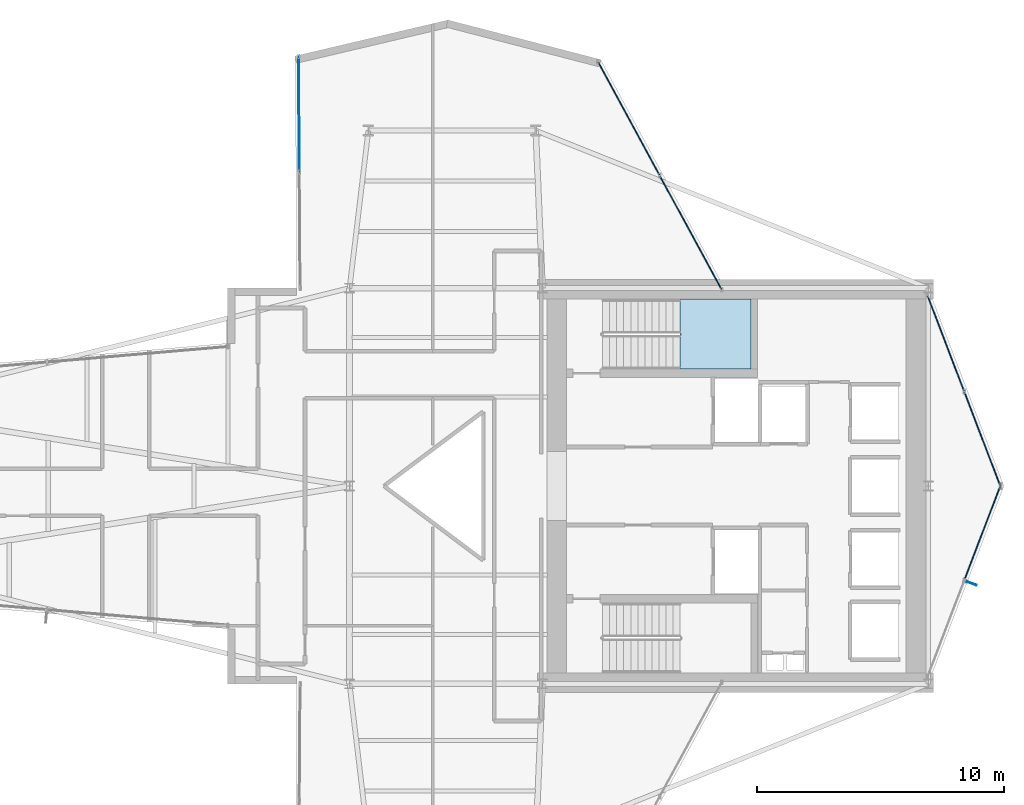
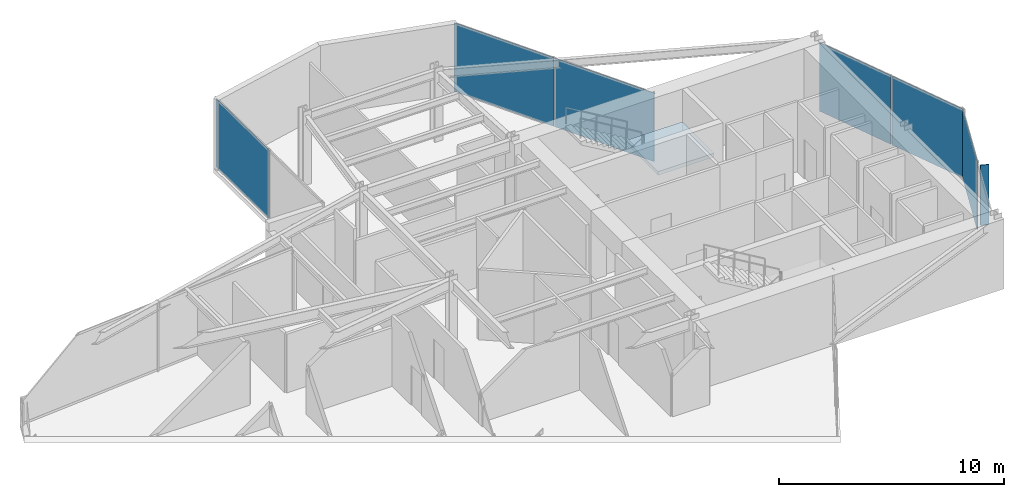
# One storey, part 22 of 26: 7 plates, 1 slab, 5 elements without a shape of their own.
"""IFC4 building model written with IfcOpenShell, lengths in metres."""

from ifc_helpers import new_model, si_unit, direction, frame, origin, origin_2d, place, context, subcontext, project, spatial, polyline, rectangle, outline, extrude, material, layer, layer_set, type_object, element, aggregate, save


model = new_model("IFC4")

# Units and contexts
model_context = context("Model", 3, precision=1e-05, world=origin(), true_north=direction((0.0, 1.0)))
body_context = subcontext(model_context, "Body", "Model", "MODEL_VIEW")
ifc_project = project(units=[si_unit("LENGTHUNIT", "METRE"), si_unit("AREAUNIT", "SQUARE_METRE"), si_unit("VOLUMEUNIT", "CUBIC_METRE"), si_unit("PLANEANGLEUNIT", "RADIAN"), si_unit("MASSUNIT", "GRAM", prefix="KILO")], contexts=[model_context])

# Site, building, storey
site_placement = place(None, origin())
site = spatial("IfcSite", under=ifc_project, at=site_placement, CompositionType="ELEMENT")
building_placement = place(site_placement, origin())
building = spatial("IfcBuilding", under=site, at=building_placement, Name="Veymaron Broadcast Tower", CompositionType="ELEMENT")
storey_placement = place(building_placement, frame((0.0, 0.0, 153.300048828125)))
storey = spatial("IfcBuildingStorey", under=building, at=storey_placement, Name="L35", CompositionType="ELEMENT", Elevation=153.300048828125)

# Curtain wall, plate
ifc_material_1 = material(Name="Anodised aluminium AA 6063-T6 and laminated low-E dark glass", Category="aluminium")
ifc_layer_1 = layer(ifc_material_1, 0.179931640625)
ifc_layer_set_1 = layer_set([ifc_layer_1], Name="Anodised aluminium AA 6063-T6 and laminated low-E dark glass")
curtain_wall_type = type_object("IfcCurtainWallType", Name="CW-SYS-03", PredefinedType="NOTDEFINED", material=ifc_layer_set_1)
curtain_wall_1_placement = place(storey_placement, origin())
curtain_wall_1 = element("IfcCurtainWall", 1, at=curtain_wall_1_placement, inside=storey, type_object=curtain_wall_type, Name="L35 dark-glass curtain wall CW-L35-E2-1", PredefinedType="NOTDEFINED")
ifc_material_2 = material(Name="Insulated dark-anodised aluminium spandrel panel 40 mm", Category="aluminium")
ifc_layer_2 = layer(ifc_material_2, 0.0400390625)
ifc_layer_set_2 = layer_set([ifc_layer_2], Name="Insulated dark-anodised aluminium spandrel panel 40 mm")
plate_type_1 = type_object("IfcPlateType", Name="CW-PNL-03", PredefinedType="CURTAIN_PANEL", material=ifc_layer_set_2)
plate_1_placement = place(storey_placement, frame((56.78662109375, 22.113037109375, 0.0400390625), z_axis=(0.0, 0.0, 1.0), x_axis=(0.35701516766, 0.934098586906, 0.0)))
plate_1 = element("IfcPlate", 2, at=plate_1_placement, type_object=plate_type_1, Name="CW-L35-E2-1 unitised curtain panel 1", PredefinedType="CURTAIN_PANEL", context=body_context, shape_type="SweptSolid", body=[
    extrude(rectangle(XDim=4.08740234375, YDim=0.0400390625, at=origin_2d()), origin(), (0.0, 0.0, 1.0), 3.72998046875),
])
aggregate(curtain_wall_1, [plate_1])

# Curtain wall, plates
curtain_wall_2_placement = place(storey_placement, origin())
curtain_wall_2 = element("IfcCurtainWall", 3, at=curtain_wall_2_placement, inside=storey, type_object=curtain_wall_type, Name="L35 dark-glass curtain wall CW-L35-E3-1", PredefinedType="NOTDEFINED")
plate_2_placement = place(storey_placement, frame((56.78662109375, 25.886962890625, 0.0400390625), z_axis=(0.0, 0.0, 1.0), x_axis=(-0.35701516766, 0.934098586906, 0.0)))
plate_2 = element("IfcPlate", 4, at=plate_2_placement, type_object=plate_type_1, Name="CW-L35-E3-1 unitised curtain panel 0", PredefinedType="CURTAIN_PANEL", context=body_context, shape_type="SweptSolid", body=[
    extrude(rectangle(XDim=4.08740234375, YDim=0.0400390625, at=origin_2d()), origin(), (0.0, 0.0, 1.0), 3.72998046875),
])
plate_3_placement = place(storey_placement, frame((55.305908203125, 29.760986328125, 0.0400390625), z_axis=(0.0, 0.0, 1.0), x_axis=(-0.35701516766, 0.934098586906, 0.0)))
plate_3 = element("IfcPlate", 5, at=plate_3_placement, type_object=plate_type_1, Name="CW-L35-E3-1 unitised curtain panel 1", PredefinedType="CURTAIN_PANEL", context=body_context, shape_type="SweptSolid", body=[
    extrude(rectangle(XDim=4.08740234375, YDim=0.0400390625, at=origin_2d()), origin(), (0.0, 0.0, 1.0), 3.72998046875),
])
aggregate(curtain_wall_2, [plate_2, plate_3])

curtain_wall_3_placement = place(storey_placement, origin())
curtain_wall_3 = element("IfcCurtainWall", 6, at=curtain_wall_3_placement, inside=storey, type_object=curtain_wall_type, Name="L35 dark-glass curtain wall CW-L35-E5-1", PredefinedType="NOTDEFINED")
plate_4_placement = place(storey_placement, frame((44.991455078125, 34.239990234375, 0.0400390625), z_axis=(0.0, 0.0, 1.0), x_axis=(-0.476821283546, 0.879000263685, 0.0)))
plate_4 = element("IfcPlate", 7, at=plate_4_placement, type_object=plate_type_1, Name="CW-L35-E5-1 unitised curtain panel 0", PredefinedType="CURTAIN_PANEL", context=body_context, shape_type="SweptSolid", body=[
    extrude(rectangle(XDim=5.188720703125, YDim=0.0400390625, at=origin_2d()), origin(), (0.0, 0.0, 1.0), 3.72998046875),
])
plate_5_placement = place(storey_placement, frame((42.48876953125, 38.853515625, 0.0400390625), z_axis=(0.0, 0.0, 1.0), x_axis=(-0.476821283546, 0.879000263685, 0.0)))
plate_5 = element("IfcPlate", 8, at=plate_5_placement, type_object=plate_type_1, Name="CW-L35-E5-1 unitised curtain panel 1", PredefinedType="CURTAIN_PANEL", context=body_context, shape_type="SweptSolid", body=[
    extrude(rectangle(XDim=5.188720703125, YDim=0.0400390625, at=origin_2d()), origin(), (0.0, 0.0, 1.0), 3.72998046875),
])
aggregate(curtain_wall_3, [plate_4, plate_5])

# Curtain wall, plate
curtain_wall_4_placement = place(storey_placement, origin())
curtain_wall_4 = element("IfcCurtainWall", 9, at=curtain_wall_4_placement, inside=storey, type_object=curtain_wall_type, Name="L35 dark-glass curtain wall CW-L35-E8-1", PredefinedType="NOTDEFINED")
plate_6_placement = place(storey_placement, frame((29.156982421875, 39.030517578125, 0.0400390625), z_axis=(0.0, 0.0, 1.0), x_axis=(0.006824184408, -0.999976714982, 0.0)))
plate_6 = element("IfcPlate", 10, at=plate_6_placement, type_object=plate_type_1, Name="CW-L35-E8-1 unitised curtain panel 0", PredefinedType="CURTAIN_PANEL", context=body_context, shape_type="SweptSolid", body=[
    extrude(rectangle(XDim=4.62646484375, YDim=0.0400390625, at=origin_2d()), origin(), (0.0, 0.0, 1.0), 3.72998046875),
])
aggregate(curtain_wall_4, [plate_6])

# Plate
ifc_material_3 = material(Name="Dark-anodised aluminium AA 6061-T6", Category="aluminium")
ifc_layer_3 = layer(ifc_material_3, 0.031982421875)
ifc_layer_set_3 = layer_set([ifc_layer_3], Name="Dark-anodised aluminium AA 6061-T6")
plate_type_2 = type_object("IfcPlateType", Name="FIN-CHEV-03", PredefinedType="USERDEFINED", material=ifc_layer_set_3)
plate_7_placement = place(storey_placement, frame((56.3544921875, 20.05810546875, 0.2666015625), z_axis=(0.0, 0.0, 1.0), x_axis=(0.934098586906, -0.35701516766, 0.0)))
element("IfcPlate", 11, at=plate_7_placement, inside=storey, type_object=plate_type_2, Name="CW-L35-E2-1 chevron fin 1", ObjectType="FIN", PredefinedType="USERDEFINED", context=body_context, shape_type="SweptSolid", body=[
    extrude(rectangle(XDim=0.39990234375, YDim=0.034912109375, at=origin_2d()), origin(), (0.0, 0.0, 1.0), 3.276611328125),
])

# Stair, slab
ifc_material_4 = material(Name="Concrete C50/60", Category="concrete")
stair_type = type_object("IfcStairType", Name="STAIR-CORE-1", PredefinedType="HALF_TURN_STAIR", material=ifc_material_4)
stair_placement = place(storey_placement, origin())
stair = element("IfcStair", 12, at=stair_placement, inside=storey, type_object=stair_type, Name="L35 North protected dog-leg exit stair ST1", PredefinedType="HALF_TURN_STAIR")
ifc_layer_4 = layer(ifc_material_4, 0.199951171875)
ifc_layer_set_4 = layer_set([ifc_layer_4], Name="Concrete C50/60")
slab_type = type_object("IfcSlabType", Name="SLAB-STAIR-LDG", PredefinedType="LANDING", material=ifc_layer_set_4)
slab_placement = place(storey_placement, frame((0.0, 0.0, 1.824951171875)))
slab = element("IfcSlab", 13, at=slab_placement, type_object=slab_type, Name="ST1 landing 1", PredefinedType="LANDING", context=body_context, shape_type="SweptSolid", body=[
    extrude(outline(polyline([(44.56494140625, 28.72998046875), (47.43994140625, 28.72998046875), (47.43994140625, 31.550048828125), (44.56494140625, 31.550048828125), (44.56494140625, 28.72998046875)])), origin(), (0.0, 0.0, 1.0), 0.199951171875),
])
aggregate(stair, [slab])

save(model, "model.ifc")
